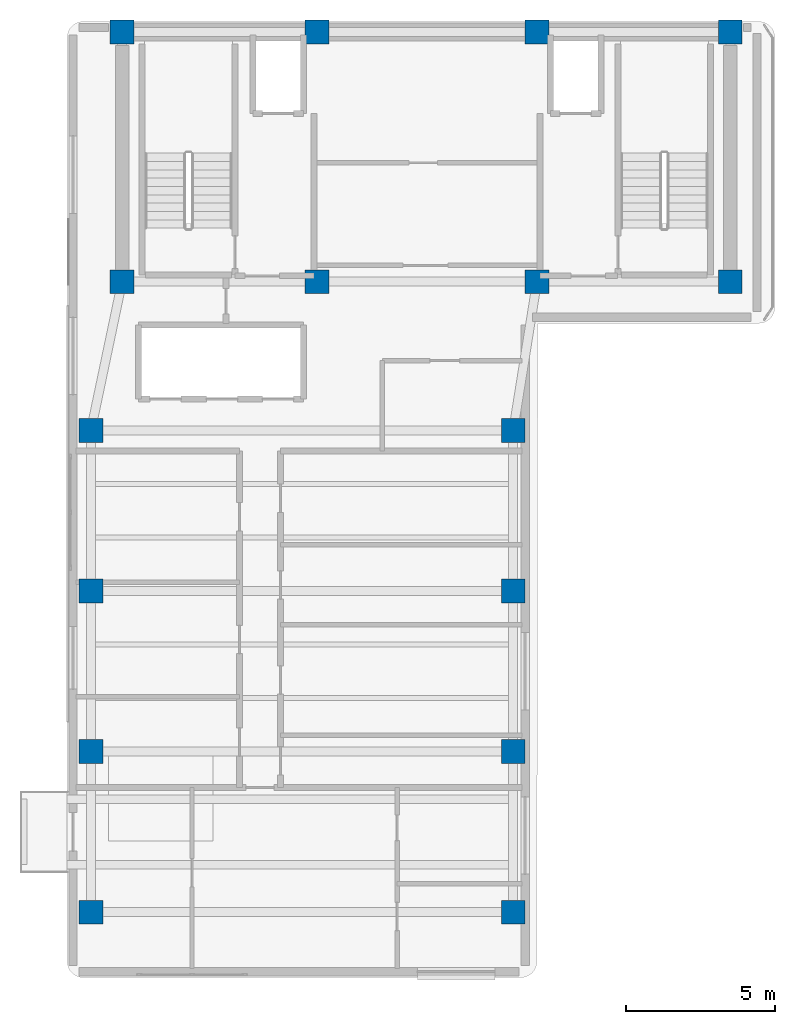
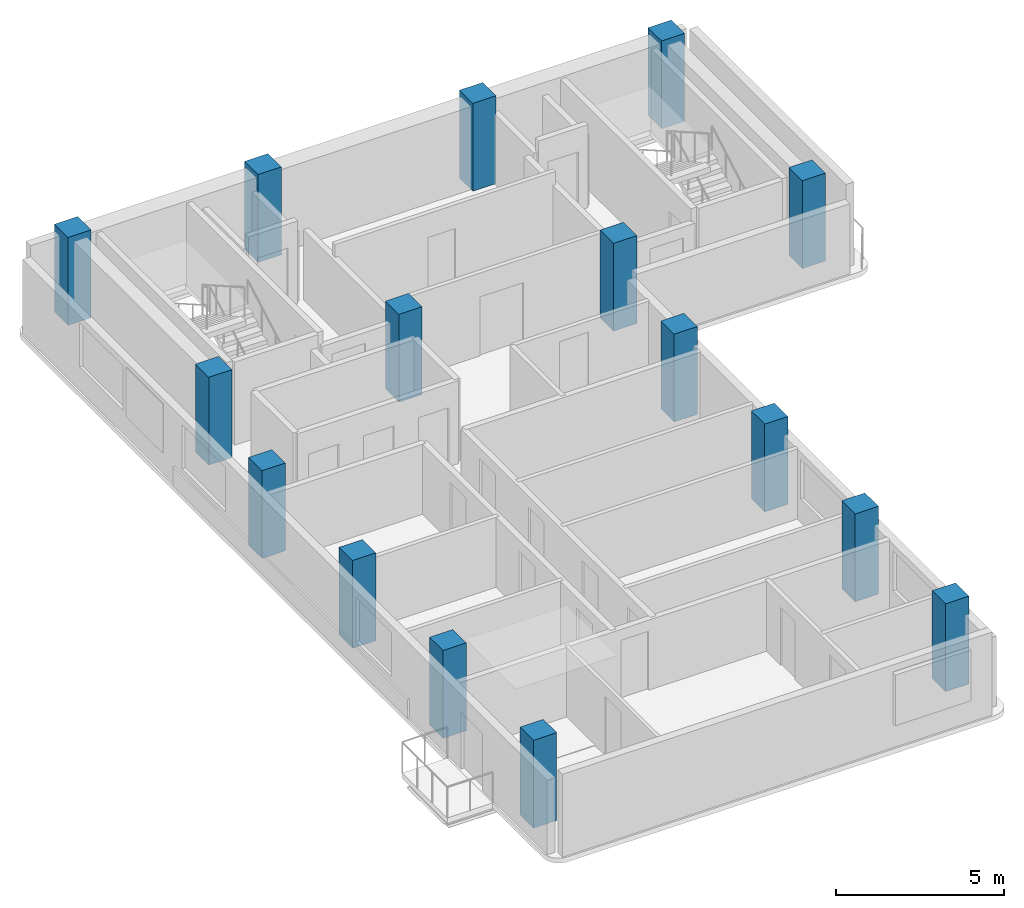
# One storey, part 1 of 11: 16 columns.
"""IFC4 building model written with IfcOpenShell, lengths in metres."""

from ifc_helpers import new_model, si_unit, direction, frame, origin, origin_2d, place, context, subcontext, project, spatial, rectangle, extrude, material, material_profile, profile_set, type_object, element, save


model = new_model("IFC4")

# Units and contexts
model_context = context("Model", 3, precision=1e-05, world=origin(), true_north=direction((0.0, 1.0)))
body_context = subcontext(model_context, "Body", "Model", "MODEL_VIEW")
ifc_project = project(units=[si_unit("LENGTHUNIT", "METRE"), si_unit("AREAUNIT", "SQUARE_METRE"), si_unit("VOLUMEUNIT", "CUBIC_METRE"), si_unit("PLANEANGLEUNIT", "RADIAN"), si_unit("MASSUNIT", "GRAM", prefix="KILO")], contexts=[model_context])

# Site, building, storey
site_placement = place(None, origin())
site = spatial("IfcSite", under=ifc_project, at=site_placement, CompositionType="ELEMENT")
building_placement = place(site_placement, origin())
building = spatial("IfcBuilding", under=site, at=building_placement, Name="Kuzgunbayir Cultural Tower", CompositionType="ELEMENT")
storey_placement = place(building_placement, frame((0.0, 0.0, 234.39990234375)))
storey = spatial("IfcBuildingStorey", under=building, at=storey_placement, Name="L69", CompositionType="ELEMENT", Elevation=234.39990234375)

# Columns
ifc_material = material(Name="Concrete C50/60", Category="concrete")
ifc_material_profile_1 = material_profile(ifc_material, rectangle(XDim=0.800048828125, YDim=0.800048828125, at=origin_2d()), Name="RC 800x800")
ifc_profile_set_1 = profile_set([ifc_material_profile_1], Name="Concrete C50/60")
column_type_1 = type_object("IfcColumnType", Name="COL-CORE-800", PredefinedType="COLUMN", material=ifc_profile_set_1)
for number, where, z_axis, x_axis, name in (
    (1, (6.449951171875, 33.800048828125, 0.0), (0.0, 0.0, 1.0), (1.0, 0.0, 0.0), "L69 T1 Core Boundary Column CC1-1"),
    (2, (13.0, 33.800048828125, 0.0), (0.0, 0.0, 1.0), (1.0, 0.0, 0.0), "L69 T1 Core Boundary Column CC1-2"),
    (3, (20.39990234375, 33.800048828125, 0.0), (0.0, 0.0, 1.0), (1.0, 0.0, 0.0), "L69 T1 Core Boundary Column CC1-3"),
    (4, (26.89990234375, 33.800048828125, 0.0), (0.0, 0.0, 1.0), (1.0, 0.0, 0.0), "L69 T1 Core Boundary Column CC1-4"),
    (5, (6.449951171875, 42.199951171875, 0.0), (0.0, 0.0, 1.0), (1.0, 0.0, 0.0), "L69 T1 Core Boundary Column CC1-5"),
    (6, (13.0, 42.199951171875, 0.0), (0.0, 0.0, 1.0), (1.0, 0.0, 0.0), "L69 T1 Core Boundary Column CC1-6"),
    (7, (20.39990234375, 42.199951171875, 0.0), (0.0, 0.0, 1.0), (1.0, 0.0, 0.0), "L69 T1 Core Boundary Column CC1-7"),
    (8, (26.89990234375, 42.199951171875, 0.0), (0.0, 0.0, 1.0), (1.0, 0.0, 0.0), "L69 T1 Core Boundary Column CC1-8"),
):
    element("IfcColumn", number, at=place(storey_placement, frame(where, z_axis=z_axis, x_axis=x_axis)), inside=storey, type_object=column_type_1, Name=name, PredefinedType="COLUMN", context=body_context, shape_type="SweptSolid", body=[
        extrude(rectangle(XDim=0.800048828125, YDim=0.800048828125, at=origin_2d()), origin(), (0.0, 0.0, 1.0), 3.2001953125),
    ])
ifc_material_profile_2 = material_profile(ifc_material, rectangle(XDim=0.800048828125, YDim=0.800048828125, at=origin_2d()), Name="RC 800x800")
ifc_profile_set_2 = profile_set([ifc_material_profile_2], Name="Concrete C50/60")
column_type_2 = type_object("IfcColumnType", Name="COL-T1-800", PredefinedType="COLUMN", material=ifc_profile_set_2)
for number, where, z_axis, x_axis, name in (
    (9, (5.39990234375, 12.60009765625, 0.0), (0.0, 0.0, 1.0), (1.0, 0.0, 0.0), "L69 Tower 1 Wing A Column T1A-W-1"),
    (10, (19.60009765625, 12.60009765625, 0.0), (0.0, 0.0, 1.0), (1.0, 0.0, 0.0), "L69 Tower 1 Wing A Column T1A-E-1"),
    (11, (5.39990234375, 18.0, 0.0), (0.0, 0.0, 1.0), (1.0, 0.0, 0.0), "L69 Tower 1 Wing A Column T1A-W-2"),
    (12, (19.60009765625, 18.0, 0.0), (0.0, 0.0, 1.0), (1.0, 0.0, 0.0), "L69 Tower 1 Wing A Column T1A-E-2"),
    (13, (5.39990234375, 23.39990234375, 0.0), (0.0, 0.0, 1.0), (1.0, 0.0, 0.0), "L69 Tower 1 Wing A Column T1A-W-3"),
    (14, (19.60009765625, 23.39990234375, 0.0), (0.0, 0.0, 1.0), (1.0, 0.0, 0.0), "L69 Tower 1 Wing A Column T1A-E-3"),
    (15, (5.39990234375, 28.800048828125, 0.0), (0.0, 0.0, 1.0), (1.0, 0.0, 0.0), "L69 Tower 1 Wing A Column T1A-W-4"),
    (16, (19.60009765625, 28.800048828125, 0.0), (0.0, 0.0, 1.0), (1.0, 0.0, 0.0), "L69 Tower 1 Wing A Column T1A-E-4"),
):
    element("IfcColumn", number, at=place(storey_placement, frame(where, z_axis=z_axis, x_axis=x_axis)), inside=storey, type_object=column_type_2, Name=name, PredefinedType="COLUMN", context=body_context, shape_type="SweptSolid", body=[
        extrude(rectangle(XDim=0.800048828125, YDim=0.800048828125, at=origin_2d()), origin(), (0.0, 0.0, 1.0), 3.2001953125),
    ])

save(model, "model.ifc")
